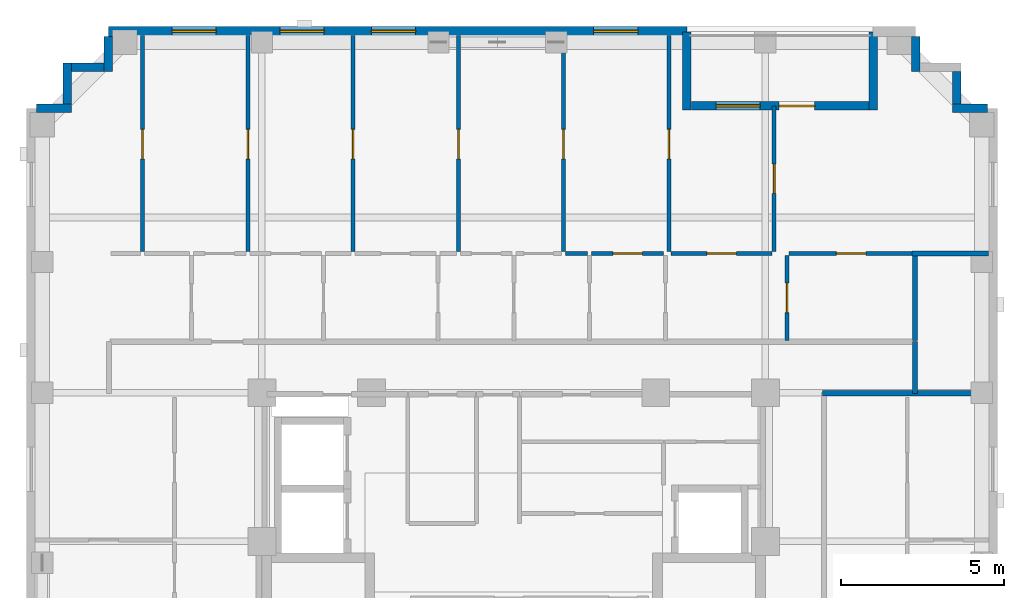
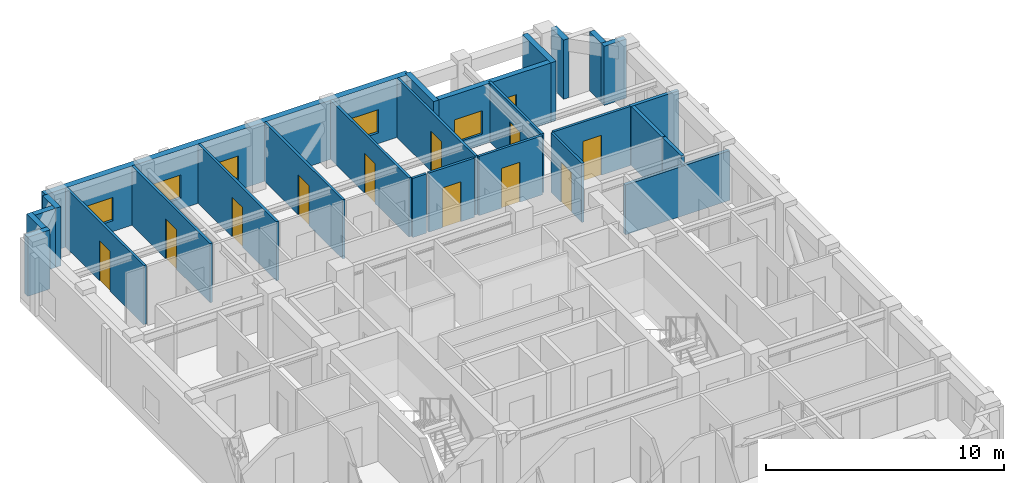
# One storey, part 7 of 11: 27 walls, 12 doors, 5 windows, 17 openings.
"""IFC4 building model written with IfcOpenShell, lengths in metres."""

from ifc_helpers import new_model, si_unit, derived_unit, direction, frame, frame_2d, origin, place, context, subcontext, project, spatial, rectangle, extrude, material, layer, layer_set, type_object, element, fill, save


model = new_model("IFC4")

# Units and contexts
model_context = context("Model", 3, precision=1e-05, world=origin(), true_north=direction((0.0, 1.0)))
body_context = subcontext(model_context, "Body", "Model", "MODEL_VIEW")
ifc_project = project(units=[si_unit("LENGTHUNIT", "METRE"), si_unit("AREAUNIT", "SQUARE_METRE"), si_unit("VOLUMEUNIT", "CUBIC_METRE"), si_unit("PLANEANGLEUNIT", "RADIAN"), si_unit("MASSUNIT", "GRAM", prefix="KILO"), derived_unit("THERMALTRANSMITTANCEUNIT", [(si_unit("MASSUNIT", "GRAM", prefix="KILO"), 1), (si_unit("TIMEUNIT", "SECOND"), -3), (si_unit("THERMODYNAMICTEMPERATUREUNIT", "KELVIN"), -1)])], contexts=[model_context])

# Site, building, storey
site_placement = place(None, origin())
site = spatial("IfcSite", under=ifc_project, at=site_placement, CompositionType="ELEMENT")
building_placement = place(site_placement, origin())
building = spatial("IfcBuilding", under=site, at=building_placement, Name="Korrvale Station Residences", CompositionType="ELEMENT")
storey_placement = place(building_placement, frame((0.0, 0.0, 197.5)))
storey = spatial("IfcBuildingStorey", under=building, at=storey_placement, Name="L57", CompositionType="ELEMENT", Elevation=197.5)

# Wall
ifc_material_1 = material(Name="Precast concrete C45/55", Category="concrete")
ifc_layer_1 = layer(ifc_material_1, 0.260009765625, Name="Precast concrete C45/55")
ifc_layer_set_1 = layer_set([ifc_layer_1], Name="Precast concrete C45/55")
wall_type_1 = type_object("IfcWallType", Name="WAL-EXT-LOG260", PredefinedType="SOLIDWALL", material=ifc_layer_set_1)
wall_1_placement = place(storey_placement, frame((30.800048828125, 40.0400390625, 0.0), z_axis=(0.0, 0.0, 1.0), x_axis=(0.0, -1.0, 0.0)))
element("IfcWall", 1, at=wall_1_placement, inside=storey, type_object=wall_type_1, Name="L57 Recessed Loggia Wall BAL-L57-N1-L", PredefinedType="SOLIDWALL", context=body_context, shape_type="SweptSolid", body=[
    extrude(rectangle(XDim=2.400146484375, YDim=0.260009765625, at=frame_2d((1.2001953125, 0.0))), origin(), (0.0, 0.0, 1.0), 3.0400390625),
])

# Wall, openings, door, window
wall_2_placement = place(storey_placement, frame((30.93408203125, 37.77001953125, 0.0), z_axis=(0.0, 0.0, 1.0), x_axis=(1.0, 0.0, 0.0)))
wall_2 = element("IfcWall", 2, at=wall_2_placement, inside=storey, type_object=wall_type_1, Name="L57 Recessed Loggia Wall BAL-L57-N1-B", PredefinedType="SOLIDWALL", context=body_context, shape_type="SweptSolid", body=[
    extrude(rectangle(XDim=5.431884765625, YDim=0.260009765625, at=frame_2d((2.7158203125, 0.0))), origin(), (0.0, 0.0, 1.0), 3.0400390625),
])
opening_1_placement = place(wall_2_placement, frame((2.676025390625, 0.0, 0.0)))
opening_1 = element("IfcOpeningElement", 3, at=opening_1_placement, cuts=wall_2, Name="Opening BD-01", PredefinedType="OPENING", context=body_context, shape_type="SweptSolid", body=[
    extrude(rectangle(XDim=1.10009765625, YDim=2.0, at=frame_2d((0.550048828125, 1.0))), frame((0.0, 0.14013671875, 0.0), z_axis=(0.0, -1.0, 0.0), x_axis=(1.0, 0.0, 0.0)), (0.0, 0.0, 1.0), 0.280029296875),
])
opening_2_placement = place(wall_2_placement, frame((0.758056640625, 0.0, 0.550048828125)))
opening_2 = element("IfcOpeningElement", 4, at=opening_2_placement, cuts=wall_2, Name="Opening W-10", PredefinedType="OPENING", context=body_context, shape_type="SweptSolid", body=[
    extrude(rectangle(XDim=1.35009765625, YDim=1.199951171875, at=frame_2d((0.675048828125, 0.60009765625))), frame((0.0, 0.14013671875, 0.0), z_axis=(0.0, -1.0, 0.0), x_axis=(1.0, 0.0, 0.0)), (0.0, 0.0, 1.0), 0.280029296875),
])
ifc_material_2 = material(Name="Exterior thermally broken aluminium glazed balcony door", Category="aluminium")
door_type_1 = type_object("IfcDoorType", Name="DR-EXT-BAL", OperationType="NOTDEFINED", PredefinedType="DOOR", material=ifc_material_2)
door_1_placement = place(opening_1_placement, origin())
door_1 = element("IfcDoor", 5, at=door_1_placement, inside=storey, type_object=door_type_1, Name="L57 Loggia Balcony Door BAL-L57-N1", OperationType="SINGLE_SWING_LEFT", OverallHeight=2.0, OverallWidth=1.10009765625, PredefinedType="DOOR", context=body_context, shape_type="SweptSolid", body=[
    extrude(rectangle(XDim=1.10009765625, YDim=2.0, at=frame_2d((0.550048828125, 1.0))), frame((0.0, 0.02490234375, 0.0), z_axis=(0.0, -1.0, 0.0), x_axis=(1.0, 0.0, 0.0)), (0.0, 0.0, 1.0), 0.050048828125),
])
fill(opening_1, door_1)
ifc_material_3 = material(Name="Thermally broken aluminium frame with triple low-e glazing", Category="aluminium")
window_type = type_object("IfcWindowType", Name="WIN-W10", PartitioningType="SINGLE_PANEL", PredefinedType="WINDOW", material=ifc_material_3)
window_1_placement = place(opening_2_placement, origin())
window_1 = element("IfcWindow", 6, at=window_1_placement, inside=storey, type_object=window_type, Name="L57 Punched Window 11", OverallHeight=1.199951171875, OverallWidth=1.35009765625, PartitioningType="SINGLE_PANEL", PredefinedType="WINDOW", context=body_context, shape_type="SweptSolid", body=[
    extrude(rectangle(XDim=1.35009765625, YDim=1.199951171875, at=frame_2d((0.675048828125, 0.60009765625))), frame((0.0, 0.030029296875, 0.0), z_axis=(0.0, -1.0, 0.0), x_axis=(1.0, 0.0, 0.0)), (0.0, 0.0, 1.0), 0.06005859375),
])
fill(opening_2, window_1)

# Walls
wall_3_placement = place(storey_placement, frame((36.5, 37.639892578125, 0.0), z_axis=(0.0, 0.0, 1.0), x_axis=(0.0, 1.0, 0.0)))
element("IfcWall", 7, at=wall_3_placement, inside=storey, type_object=wall_type_1, Name="L57 Recessed Loggia Wall BAL-L57-N1-R", PredefinedType="SOLIDWALL", context=body_context, shape_type="SweptSolid", body=[
    extrude(rectangle(XDim=2.400146484375, YDim=0.260009765625, at=frame_2d((1.2001953125, 0.0))), origin(), (0.0, 0.0, 1.0), 3.0400390625),
])
wall_4_placement = place(storey_placement, frame((10.902099609375, 37.699951171875, 0.0), z_axis=(0.0, 0.0, 1.0), x_axis=(1.0, 0.0, 0.0)))
element("IfcWall", 8, at=wall_4_placement, inside=storey, type_object=wall_type_1, Name="L57 Serrated Corner Precast Step NW-1", PredefinedType="SOLIDWALL", context=body_context, shape_type="SweptSolid", body=[
    extrude(rectangle(XDim=1.077880859375, YDim=0.260009765625, at=frame_2d((0.5390625, 0.0))), origin(), (0.0, 0.0, 1.0), 3.0400390625),
])
wall_5_placement = place(storey_placement, frame((11.85009765625, 37.83203125, 0.0), z_axis=(0.0, 0.0, 1.0), x_axis=(0.0, 1.0, 0.0)))
element("IfcWall", 9, at=wall_5_placement, inside=storey, type_object=wall_type_1, Name="L57 Serrated Corner Precast Step NW-2", PredefinedType="SOLIDWALL", context=body_context, shape_type="SweptSolid", body=[
    extrude(rectangle(XDim=1.248046875, YDim=0.260009765625, at=frame_2d((0.6240234375, 0.0))), origin(), (0.0, 0.0, 1.0), 3.0400390625),
])
wall_6_placement = place(storey_placement, frame((11.98193359375, 38.949951171875, 0.0), z_axis=(0.0, 0.0, 1.0), x_axis=(1.0, 0.0, 0.0)))
element("IfcWall", 10, at=wall_6_placement, inside=storey, type_object=wall_type_1, Name="L57 Serrated Corner Precast Step NW-3", PredefinedType="SOLIDWALL", context=body_context, shape_type="SweptSolid", body=[
    extrude(rectangle(XDim=0.986083984375, YDim=0.260009765625, at=frame_2d((0.4931640625, 0.0))), origin(), (0.0, 0.0, 1.0), 3.0400390625),
])
for number, where, z_axis, x_axis, name in (
    (11, (13.10009765625, 38.820068359375, 0.0), (0.0, 0.0, 1.0), (0.0, 1.0, 0.0), "L57 Serrated Corner Precast Step NW-4"),
    (12, (37.800048828125, 39.89794921875, 0.0), (0.0, 0.0, 1.0), (0.0, -1.0, 0.0), "L57 Serrated Corner Precast Step NE-1"),
):
    element("IfcWall", number, at=place(storey_placement, frame(where, z_axis=z_axis, x_axis=x_axis)), inside=storey, type_object=wall_type_1, Name=name, PredefinedType="SOLIDWALL", context=body_context, shape_type="SweptSolid", body=[
        extrude(rectangle(XDim=1.077880859375, YDim=0.260009765625, at=frame_2d((0.5390625, 0.0))), origin(), (0.0, 0.0, 1.0), 3.0400390625),
    ])
wall_7_placement = place(storey_placement, frame((39.050048828125, 38.818115234375, 0.0), z_axis=(0.0, 0.0, 1.0), x_axis=(0.0, -1.0, 0.0)))
element("IfcWall", 13, at=wall_7_placement, inside=storey, type_object=wall_type_1, Name="L57 Serrated Corner Precast Step NE-3", PredefinedType="SOLIDWALL", context=body_context, shape_type="SweptSolid", body=[
    extrude(rectangle(XDim=0.986083984375, YDim=0.260009765625, at=frame_2d((0.4931640625, 0.0))), origin(), (0.0, 0.0, 1.0), 3.0400390625),
])
wall_8_placement = place(storey_placement, frame((38.919921875, 37.699951171875, 0.0), z_axis=(0.0, 0.0, 1.0), x_axis=(1.0, 0.0, 0.0)))
element("IfcWall", 14, at=wall_8_placement, inside=storey, type_object=wall_type_1, Name="L57 Serrated Corner Precast Step NE-4", PredefinedType="SOLIDWALL", context=body_context, shape_type="SweptSolid", body=[
    extrude(rectangle(XDim=1.078125, YDim=0.260009765625, at=frame_2d((0.5390625, 0.0))), origin(), (0.0, 0.0, 1.0), 3.0400390625),
])

# Wall, openings, windows
ifc_layer_2 = layer(ifc_material_1, 0.300048828125, Name="Precast concrete C45/55")
ifc_layer_set_2 = layer_set([ifc_layer_2], Name="Precast concrete C45/55")
wall_type_2 = type_object("IfcWallType", Name="WAL-EXT-PC300", PredefinedType="SOLIDWALL", material=ifc_layer_set_2)
wall_9_placement = place(storey_placement, frame((13.10009765625, 40.050048828125, 0.0), z_axis=(0.0, 0.0, 1.0), x_axis=(1.0, 0.0, 0.0)))
wall_9 = element("IfcWall", 15, at=wall_9_placement, inside=storey, type_object=wall_type_2, Name="L57 North Exterior Precast Wall 1", PredefinedType="SOLIDWALL", context=body_context, shape_type="SweptSolid", body=[
    extrude(rectangle(XDim=17.699951171875, YDim=0.300048828125, at=frame_2d((8.85009765625, 0.0))), origin(), (0.0, 0.0, 1.0), 3.0400390625),
])
opening_3_placement = place(wall_9_placement, frame((1.949951171875, 0.0, 0.550048828125)))
opening_3 = element("IfcOpeningElement", 16, at=opening_3_placement, cuts=wall_9, Name="Opening W-10", PredefinedType="OPENING", context=body_context, shape_type="SweptSolid", body=[
    extrude(rectangle(XDim=1.35009765625, YDim=1.199951171875, at=frame_2d((0.675048828125, 0.60009765625))), frame((0.0, 0.16015625, 0.0), z_axis=(0.0, -1.0, 0.0), x_axis=(1.0, 0.0, 0.0)), (0.0, 0.0, 1.0), 0.320068359375),
])
opening_4_placement = place(wall_9_placement, frame((5.25, 0.0, 0.550048828125)))
opening_4 = element("IfcOpeningElement", 17, at=opening_4_placement, cuts=wall_9, Name="Opening W-10", PredefinedType="OPENING", context=body_context, shape_type="SweptSolid", body=[
    extrude(rectangle(XDim=1.35009765625, YDim=1.199951171875, at=frame_2d((0.675048828125, 0.60009765625))), frame((0.0, 0.16015625, 0.0), z_axis=(0.0, -1.0, 0.0), x_axis=(1.0, 0.0, 0.0)), (0.0, 0.0, 1.0), 0.320068359375),
])
opening_5_placement = place(wall_9_placement, frame((8.050048828125, 0.0, 0.550048828125)))
opening_5 = element("IfcOpeningElement", 18, at=opening_5_placement, cuts=wall_9, Name="Opening W-10", PredefinedType="OPENING", context=body_context, shape_type="SweptSolid", body=[
    extrude(rectangle(XDim=1.35009765625, YDim=1.199951171875, at=frame_2d((0.675048828125, 0.60009765625))), frame((0.0, 0.16015625, 0.0), z_axis=(0.0, -1.0, 0.0), x_axis=(1.0, 0.0, 0.0)), (0.0, 0.0, 1.0), 0.320068359375),
])
opening_6_placement = place(wall_9_placement, frame((14.85009765625, 0.0, 0.550048828125)))
opening_6 = element("IfcOpeningElement", 19, at=opening_6_placement, cuts=wall_9, Name="Opening W-10", PredefinedType="OPENING", context=body_context, shape_type="SweptSolid", body=[
    extrude(rectangle(XDim=1.35009765625, YDim=1.199951171875, at=frame_2d((0.675048828125, 0.60009765625))), frame((0.0, 0.16015625, 0.0), z_axis=(0.0, -1.0, 0.0), x_axis=(1.0, 0.0, 0.0)), (0.0, 0.0, 1.0), 0.320068359375),
])
window_2_placement = place(opening_3_placement, origin())
window_2 = element("IfcWindow", 20, at=window_2_placement, inside=storey, type_object=window_type, Name="L57 Punched Window 07", OverallHeight=1.199951171875, OverallWidth=1.35009765625, PartitioningType="SINGLE_PANEL", PredefinedType="WINDOW", context=body_context, shape_type="SweptSolid", body=[
    extrude(rectangle(XDim=1.35009765625, YDim=1.199951171875, at=frame_2d((0.675048828125, 0.60009765625))), frame((0.0, 0.030029296875, 0.0), z_axis=(0.0, -1.0, 0.0), x_axis=(1.0, 0.0, 0.0)), (0.0, 0.0, 1.0), 0.06005859375),
])
fill(opening_3, window_2)
window_3_placement = place(opening_4_placement, origin())
window_3 = element("IfcWindow", 21, at=window_3_placement, inside=storey, type_object=window_type, Name="L57 Punched Window 08", OverallHeight=1.199951171875, OverallWidth=1.35009765625, PartitioningType="SINGLE_PANEL", PredefinedType="WINDOW", context=body_context, shape_type="SweptSolid", body=[
    extrude(rectangle(XDim=1.35009765625, YDim=1.199951171875, at=frame_2d((0.675048828125, 0.60009765625))), frame((0.0, 0.030029296875, 0.0), z_axis=(0.0, -1.0, 0.0), x_axis=(1.0, 0.0, 0.0)), (0.0, 0.0, 1.0), 0.06005859375),
])
fill(opening_4, window_3)
window_4_placement = place(opening_5_placement, origin())
window_4 = element("IfcWindow", 22, at=window_4_placement, inside=storey, type_object=window_type, Name="L57 Punched Window 09", OverallHeight=1.199951171875, OverallWidth=1.35009765625, PartitioningType="SINGLE_PANEL", PredefinedType="WINDOW", context=body_context, shape_type="SweptSolid", body=[
    extrude(rectangle(XDim=1.35009765625, YDim=1.199951171875, at=frame_2d((0.675048828125, 0.60009765625))), frame((0.0, 0.030029296875, 0.0), z_axis=(0.0, -1.0, 0.0), x_axis=(1.0, 0.0, 0.0)), (0.0, 0.0, 1.0), 0.06005859375),
])
fill(opening_5, window_4)
window_5_placement = place(opening_6_placement, origin())
window_5 = element("IfcWindow", 23, at=window_5_placement, inside=storey, type_object=window_type, Name="L57 Punched Window 10", OverallHeight=1.199951171875, OverallWidth=1.35009765625, PartitioningType="SINGLE_PANEL", PredefinedType="WINDOW", context=body_context, shape_type="SweptSolid", body=[
    extrude(rectangle(XDim=1.35009765625, YDim=1.199951171875, at=frame_2d((0.675048828125, 0.60009765625))), frame((0.0, 0.030029296875, 0.0), z_axis=(0.0, -1.0, 0.0), x_axis=(1.0, 0.0, 0.0)), (0.0, 0.0, 1.0), 0.06005859375),
])
fill(opening_6, window_5)

# Wall
ifc_material_4 = material(Name="Acoustic steel-stud gypsum board partition", Category="steel")
ifc_layer_3 = layer(ifc_material_4, 0.1201171875, Name="Acoustic steel-stud gypsum board partition")
ifc_layer_set_3 = layer_set([ifc_layer_3], Name="Acoustic steel-stud gypsum board partition")
wall_type_3 = type_object("IfcWallType", Name="WAL-PART-125", PredefinedType="PARTITIONING", material=ifc_layer_set_3)
wall_10_placement = place(storey_placement, frame((27.090087890625, 33.260009765625, 0.0), z_axis=(0.0, 0.0, 1.0), x_axis=(1.0, 0.0, 0.0)))
element("IfcWall", 24, at=wall_10_placement, inside=storey, type_object=wall_type_3, Name="L57 Suite Partition U03-H413", PredefinedType="PARTITIONING", context=body_context, shape_type="SweptSolid", body=[
    extrude(rectangle(XDim=0.6748046875, YDim=0.1201171875, at=frame_2d((0.33740234375, 0.0))), origin(), (0.0, 0.0, 1.0), 3.0400390625),
])

# Wall, opening, door
wall_11_placement = place(storey_placement, frame((27.885009765625, 33.260009765625, 0.0), z_axis=(0.0, 0.0, 1.0), x_axis=(1.0, 0.0, 0.0)))
wall_11 = element("IfcWall", 25, at=wall_11_placement, inside=storey, type_object=wall_type_3, Name="L57 Suite Partition U03-H513", PredefinedType="PARTITIONING", context=body_context, shape_type="SweptSolid", body=[
    extrude(rectangle(XDim=2.199951171875, YDim=0.1201171875, at=frame_2d((1.10009765625, 0.0))), origin(), (0.0, 0.0, 1.0), 3.0400390625),
])
opening_7_placement = place(wall_11_placement, frame((0.64990234375, 0.0, 0.0)))
opening_7 = element("IfcOpeningElement", 26, at=opening_7_placement, cuts=wall_11, Name="Opening DI-900", PredefinedType="OPENING", context=body_context, shape_type="SweptSolid", body=[
    extrude(rectangle(XDim=0.89990234375, YDim=2.050048828125, at=frame_2d((0.449951171875, 1.02490234375))), frame((0.0, 0.070068359375, 0.0), z_axis=(0.0, -1.0, 0.0), x_axis=(1.0, 0.0, 0.0)), (0.0, 0.0, 1.0), 0.14013671875),
])
ifc_material_5 = material(Name="Painted solid-core timber interior room door", Category="wood")
door_type_2 = type_object("IfcDoorType", Name="DR-INT-900", OperationType="NOTDEFINED", PredefinedType="DOOR", material=ifc_material_5)
door_2_placement = place(opening_7_placement, origin())
door_2 = element("IfcDoor", 27, at=door_2_placement, inside=storey, type_object=door_type_2, Name="L57 Studio Apartment L57-U03 Wardrobe Storage Room Door", OperationType="SINGLE_SWING_LEFT", OverallHeight=2.050048828125, OverallWidth=0.89990234375, PredefinedType="DOOR", context=body_context, shape_type="SweptSolid", body=[
    extrude(rectangle(XDim=0.89990234375, YDim=2.050048828125, at=frame_2d((0.449951171875, 1.02490234375))), frame((0.0, 0.02490234375, 0.0), z_axis=(0.0, -1.0, 0.0), x_axis=(1.0, 0.0, 0.0)), (0.0, 0.0, 1.0), 0.050048828125),
])
fill(opening_7, door_2)

wall_12_placement = place(storey_placement, frame((33.864990234375, 30.60009765625, 0.0), z_axis=(0.0, 0.0, 1.0), x_axis=(0.0, 1.0, 0.0)))
wall_12 = element("IfcWall", 28, at=wall_12_placement, inside=storey, type_object=wall_type_3, Name="L57 Suite Partition U03-V67", PredefinedType="PARTITIONING", context=body_context, shape_type="SweptSolid", body=[
    extrude(rectangle(XDim=2.599853515625, YDim=0.1201171875, at=frame_2d((1.2998046875, 0.0))), origin(), (0.0, 0.0, 1.0), 3.0400390625),
])
opening_8_placement = place(wall_12_placement, frame((0.85009765625, 0.0, 0.0)))
opening_8 = element("IfcOpeningElement", 29, at=opening_8_placement, cuts=wall_12, Name="Opening DI-900", PredefinedType="OPENING", context=body_context, shape_type="SweptSolid", body=[
    extrude(rectangle(XDim=0.89990234375, YDim=2.050048828125, at=frame_2d((0.449951171875, 1.02490234375))), frame((0.0, 0.070068359375, 0.0), z_axis=(0.0, -1.0, 0.0), x_axis=(1.0, 0.0, 0.0)), (0.0, 0.0, 1.0), 0.14013671875),
])
door_3_placement = place(opening_8_placement, origin())
door_3 = element("IfcDoor", 30, at=door_3_placement, inside=storey, type_object=door_type_2, Name="L57 Studio Apartment L57-U03 Utility and Laundry Room Door", OperationType="SINGLE_SWING_RIGHT", OverallHeight=2.050048828125, OverallWidth=0.89990234375, PredefinedType="DOOR", context=body_context, shape_type="SweptSolid", body=[
    extrude(rectangle(XDim=0.89990234375, YDim=2.050048828125, at=frame_2d((0.449951171875, 1.02490234375))), frame((0.0, 0.02490234375, 0.0), z_axis=(0.0, -1.0, 0.0), x_axis=(1.0, 0.0, 0.0)), (0.0, 0.0, 1.0), 0.050048828125),
])
fill(opening_8, door_3)

wall_13_placement = place(storey_placement, frame((30.31005859375, 33.260009765625, 0.0), z_axis=(0.0, 0.0, 1.0), x_axis=(1.0, 0.0, 0.0)))
wall_13 = element("IfcWall", 31, at=wall_13_placement, inside=storey, type_object=wall_type_3, Name="L57 Suite Partition U03-H614", PredefinedType="PARTITIONING", context=body_context, shape_type="SweptSolid", body=[
    extrude(rectangle(XDim=3.099853515625, YDim=0.1201171875, at=frame_2d((1.5498046875, 0.0))), origin(), (0.0, 0.0, 1.0), 3.0400390625),
])
opening_9_placement = place(wall_13_placement, frame((1.10009765625, 0.0, 0.0)))
opening_9 = element("IfcOpeningElement", 32, at=opening_9_placement, cuts=wall_13, Name="Opening DI-900", PredefinedType="OPENING", context=body_context, shape_type="SweptSolid", body=[
    extrude(rectangle(XDim=0.89990234375, YDim=2.050048828125, at=frame_2d((0.449951171875, 1.02490234375))), frame((0.0, 0.070068359375, 0.0), z_axis=(0.0, -1.0, 0.0), x_axis=(1.0, 0.0, 0.0)), (0.0, 0.0, 1.0), 0.14013671875),
])
door_4_placement = place(opening_9_placement, origin())
door_4 = element("IfcDoor", 33, at=door_4_placement, inside=storey, type_object=door_type_2, Name="L57 Studio Apartment L57-U03 Utility and Laundry Room Door", OperationType="SINGLE_SWING_LEFT", OverallHeight=2.050048828125, OverallWidth=0.89990234375, PredefinedType="DOOR", context=body_context, shape_type="SweptSolid", body=[
    extrude(rectangle(XDim=0.89990234375, YDim=2.050048828125, at=frame_2d((0.449951171875, 1.02490234375))), frame((0.0, 0.02490234375, 0.0), z_axis=(0.0, -1.0, 0.0), x_axis=(1.0, 0.0, 0.0)), (0.0, 0.0, 1.0), 0.050048828125),
])
fill(opening_9, door_4)

wall_14_placement = place(storey_placement, frame((33.925048828125, 33.260009765625, 0.0), z_axis=(0.0, 0.0, 1.0), x_axis=(1.0, 0.0, 0.0)))
wall_14 = element("IfcWall", 34, at=wall_14_placement, inside=storey, type_object=wall_type_3, Name="L57 Suite Partition U03-H715", PredefinedType="PARTITIONING", context=body_context, shape_type="SweptSolid", body=[
    extrude(rectangle(XDim=3.794921875, YDim=0.1201171875, at=frame_2d((1.8974609375, 0.0))), origin(), (0.0, 0.0, 1.0), 3.0400390625),
])
opening_10_placement = place(wall_14_placement, frame((1.447998046875, 0.0, 0.0)))
opening_10 = element("IfcOpeningElement", 35, at=opening_10_placement, cuts=wall_14, Name="Opening DI-900", PredefinedType="OPENING", context=body_context, shape_type="SweptSolid", body=[
    extrude(rectangle(XDim=0.89990234375, YDim=2.050048828125, at=frame_2d((0.449951171875, 1.02490234375))), frame((0.0, 0.070068359375, 0.0), z_axis=(0.0, -1.0, 0.0), x_axis=(1.0, 0.0, 0.0)), (0.0, 0.0, 1.0), 0.14013671875),
])
door_5_placement = place(opening_10_placement, origin())
door_5 = element("IfcDoor", 36, at=door_5_placement, inside=storey, type_object=door_type_2, Name="L57 Studio Apartment L57-U03 Storage Closet 2 Door", OperationType="SINGLE_SWING_RIGHT", OverallHeight=2.050048828125, OverallWidth=0.89990234375, PredefinedType="DOOR", context=body_context, shape_type="SweptSolid", body=[
    extrude(rectangle(XDim=0.89990234375, YDim=2.050048828125, at=frame_2d((0.449951171875, 1.02490234375))), frame((0.0, 0.02490234375, 0.0), z_axis=(0.0, -1.0, 0.0), x_axis=(1.0, 0.0, 0.0)), (0.0, 0.0, 1.0), 0.050048828125),
])
fill(opening_10, door_5)

wall_15_placement = place(storey_placement, frame((14.14990234375, 33.320068359375, 0.0), z_axis=(0.0, 0.0, 1.0), x_axis=(0.0, 1.0, 0.0)))
wall_15 = element("IfcWall", 37, at=wall_15_placement, inside=storey, type_object=wall_type_3, Name="L57 Suite Partition U03-V89", PredefinedType="PARTITIONING", context=body_context, shape_type="SweptSolid", body=[
    extrude(rectangle(XDim=6.599853515625, YDim=0.1201171875, at=frame_2d((3.2998046875, 0.0))), origin(), (0.0, 0.0, 1.0), 3.0400390625),
])
opening_11_placement = place(wall_15_placement, frame((2.8349609375, 0.0, 0.0)))
opening_11 = element("IfcOpeningElement", 38, at=opening_11_placement, cuts=wall_15, Name="Opening DI-900", PredefinedType="OPENING", context=body_context, shape_type="SweptSolid", body=[
    extrude(rectangle(XDim=0.89990234375, YDim=2.050048828125, at=frame_2d((0.449951171875, 1.02490234375))), frame((0.0, 0.070068359375, 0.0), z_axis=(0.0, -1.0, 0.0), x_axis=(1.0, 0.0, 0.0)), (0.0, 0.0, 1.0), 0.14013671875),
])
door_6_placement = place(opening_11_placement, origin())
door_6 = element("IfcDoor", 39, at=door_6_placement, inside=storey, type_object=door_type_2, Name="L57 Studio Apartment L57-U03 Walk-In Wardrobe Door", OperationType="SINGLE_SWING_LEFT", OverallHeight=2.050048828125, OverallWidth=0.89990234375, PredefinedType="DOOR", context=body_context, shape_type="SweptSolid", body=[
    extrude(rectangle(XDim=0.89990234375, YDim=2.050048828125, at=frame_2d((0.449951171875, 1.02490234375))), frame((0.0, 0.02490234375, 0.0), z_axis=(0.0, -1.0, 0.0), x_axis=(1.0, 0.0, 0.0)), (0.0, 0.0, 1.0), 0.050048828125),
])
fill(opening_11, door_6)

wall_16_placement = place(storey_placement, frame((17.3701171875, 33.320068359375, 0.0), z_axis=(0.0, 0.0, 1.0), x_axis=(0.0, 1.0, 0.0)))
wall_16 = element("IfcWall", 40, at=wall_16_placement, inside=storey, type_object=wall_type_3, Name="L57 Suite Partition U03-V910", PredefinedType="PARTITIONING", context=body_context, shape_type="SweptSolid", body=[
    extrude(rectangle(XDim=6.599853515625, YDim=0.1201171875, at=frame_2d((3.2998046875, 0.0))), origin(), (0.0, 0.0, 1.0), 3.0400390625),
])
opening_12_placement = place(wall_16_placement, frame((2.8349609375, 0.0, 0.0)))
opening_12 = element("IfcOpeningElement", 41, at=opening_12_placement, cuts=wall_16, Name="Opening DI-900", PredefinedType="OPENING", context=body_context, shape_type="SweptSolid", body=[
    extrude(rectangle(XDim=0.89990234375, YDim=2.050048828125, at=frame_2d((0.449951171875, 1.02490234375))), frame((0.0, 0.070068359375, 0.0), z_axis=(0.0, -1.0, 0.0), x_axis=(1.0, 0.0, 0.0)), (0.0, 0.0, 1.0), 0.14013671875),
])
door_7_placement = place(opening_12_placement, origin())
door_7 = element("IfcDoor", 42, at=door_7_placement, inside=storey, type_object=door_type_2, Name="L57 Studio Apartment L57-U03 Formal Dining Room Door", OperationType="SINGLE_SWING_RIGHT", OverallHeight=2.050048828125, OverallWidth=0.89990234375, PredefinedType="DOOR", context=body_context, shape_type="SweptSolid", body=[
    extrude(rectangle(XDim=0.89990234375, YDim=2.050048828125, at=frame_2d((0.449951171875, 1.02490234375))), frame((0.0, 0.02490234375, 0.0), z_axis=(0.0, -1.0, 0.0), x_axis=(1.0, 0.0, 0.0)), (0.0, 0.0, 1.0), 0.050048828125),
])
fill(opening_12, door_7)

wall_17_placement = place(storey_placement, frame((20.590087890625, 33.320068359375, 0.0), z_axis=(0.0, 0.0, 1.0), x_axis=(0.0, 1.0, 0.0)))
wall_17 = element("IfcWall", 43, at=wall_17_placement, inside=storey, type_object=wall_type_3, Name="L57 Suite Partition U03-V1011", PredefinedType="PARTITIONING", context=body_context, shape_type="SweptSolid", body=[
    extrude(rectangle(XDim=6.599853515625, YDim=0.1201171875, at=frame_2d((3.2998046875, 0.0))), origin(), (0.0, 0.0, 1.0), 3.0400390625),
])
opening_13_placement = place(wall_17_placement, frame((2.8349609375, 0.0, 0.0)))
opening_13 = element("IfcOpeningElement", 44, at=opening_13_placement, cuts=wall_17, Name="Opening DI-900", PredefinedType="OPENING", context=body_context, shape_type="SweptSolid", body=[
    extrude(rectangle(XDim=0.89990234375, YDim=2.050048828125, at=frame_2d((0.449951171875, 1.02490234375))), frame((0.0, 0.070068359375, 0.0), z_axis=(0.0, -1.0, 0.0), x_axis=(1.0, 0.0, 0.0)), (0.0, 0.0, 1.0), 0.14013671875),
])
door_8_placement = place(opening_13_placement, origin())
door_8 = element("IfcDoor", 45, at=door_8_placement, inside=storey, type_object=door_type_2, Name="L57 Studio Apartment L57-U03 Formal Dining Room Door", OperationType="SINGLE_SWING_LEFT", OverallHeight=2.050048828125, OverallWidth=0.89990234375, PredefinedType="DOOR", context=body_context, shape_type="SweptSolid", body=[
    extrude(rectangle(XDim=0.89990234375, YDim=2.050048828125, at=frame_2d((0.449951171875, 1.02490234375))), frame((0.0, 0.02490234375, 0.0), z_axis=(0.0, -1.0, 0.0), x_axis=(1.0, 0.0, 0.0)), (0.0, 0.0, 1.0), 0.050048828125),
])
fill(opening_13, door_8)

wall_18_placement = place(storey_placement, frame((23.81005859375, 33.320068359375, 0.0), z_axis=(0.0, 0.0, 1.0), x_axis=(0.0, 1.0, 0.0)))
wall_18 = element("IfcWall", 46, at=wall_18_placement, inside=storey, type_object=wall_type_3, Name="L57 Suite Partition U03-V1112", PredefinedType="PARTITIONING", context=body_context, shape_type="SweptSolid", body=[
    extrude(rectangle(XDim=6.599853515625, YDim=0.1201171875, at=frame_2d((3.2998046875, 0.0))), origin(), (0.0, 0.0, 1.0), 3.0400390625),
])
opening_14_placement = place(wall_18_placement, frame((2.8349609375, 0.0, 0.0)))
opening_14 = element("IfcOpeningElement", 47, at=opening_14_placement, cuts=wall_18, Name="Opening DI-900", PredefinedType="OPENING", context=body_context, shape_type="SweptSolid", body=[
    extrude(rectangle(XDim=0.89990234375, YDim=2.050048828125, at=frame_2d((0.449951171875, 1.02490234375))), frame((0.0, 0.070068359375, 0.0), z_axis=(0.0, -1.0, 0.0), x_axis=(1.0, 0.0, 0.0)), (0.0, 0.0, 1.0), 0.14013671875),
])
door_9_placement = place(opening_14_placement, origin())
door_9 = element("IfcDoor", 48, at=door_9_placement, inside=storey, type_object=door_type_2, Name="L57 Studio Apartment L57-U03 Formal Dining Room Door", OperationType="SINGLE_SWING_RIGHT", OverallHeight=2.050048828125, OverallWidth=0.89990234375, PredefinedType="DOOR", context=body_context, shape_type="SweptSolid", body=[
    extrude(rectangle(XDim=0.89990234375, YDim=2.050048828125, at=frame_2d((0.449951171875, 1.02490234375))), frame((0.0, 0.02490234375, 0.0), z_axis=(0.0, -1.0, 0.0), x_axis=(1.0, 0.0, 0.0)), (0.0, 0.0, 1.0), 0.050048828125),
])
fill(opening_14, door_9)

wall_19_placement = place(storey_placement, frame((27.030029296875, 33.320068359375, 0.0), z_axis=(0.0, 0.0, 1.0), x_axis=(0.0, 1.0, 0.0)))
wall_19 = element("IfcWall", 49, at=wall_19_placement, inside=storey, type_object=wall_type_3, Name="L57 Suite Partition U03-V1213", PredefinedType="PARTITIONING", context=body_context, shape_type="SweptSolid", body=[
    extrude(rectangle(XDim=6.599853515625, YDim=0.1201171875, at=frame_2d((3.2998046875, 0.0))), origin(), (0.0, 0.0, 1.0), 3.0400390625),
])
opening_15_placement = place(wall_19_placement, frame((2.8349609375, 0.0, 0.0)))
opening_15 = element("IfcOpeningElement", 50, at=opening_15_placement, cuts=wall_19, Name="Opening DI-900", PredefinedType="OPENING", context=body_context, shape_type="SweptSolid", body=[
    extrude(rectangle(XDim=0.89990234375, YDim=2.050048828125, at=frame_2d((0.449951171875, 1.02490234375))), frame((0.0, 0.070068359375, 0.0), z_axis=(0.0, -1.0, 0.0), x_axis=(1.0, 0.0, 0.0)), (0.0, 0.0, 1.0), 0.14013671875),
])
door_10_placement = place(opening_15_placement, origin())
door_10 = element("IfcDoor", 51, at=door_10_placement, inside=storey, type_object=door_type_2, Name="L57 Studio Apartment L57-U03 Walk-In Wardrobe Door", OperationType="SINGLE_SWING_LEFT", OverallHeight=2.050048828125, OverallWidth=0.89990234375, PredefinedType="DOOR", context=body_context, shape_type="SweptSolid", body=[
    extrude(rectangle(XDim=0.89990234375, YDim=2.050048828125, at=frame_2d((0.449951171875, 1.02490234375))), frame((0.0, 0.02490234375, 0.0), z_axis=(0.0, -1.0, 0.0), x_axis=(1.0, 0.0, 0.0)), (0.0, 0.0, 1.0), 0.050048828125),
])
fill(opening_15, door_10)

wall_20_placement = place(storey_placement, frame((30.25, 33.320068359375, 0.0), z_axis=(0.0, 0.0, 1.0), x_axis=(0.0, 1.0, 0.0)))
wall_20 = element("IfcWall", 52, at=wall_20_placement, inside=storey, type_object=wall_type_3, Name="L57 Suite Partition U03-V1314", PredefinedType="PARTITIONING", context=body_context, shape_type="SweptSolid", body=[
    extrude(rectangle(XDim=6.599853515625, YDim=0.1201171875, at=frame_2d((3.2998046875, 0.0))), origin(), (0.0, 0.0, 1.0), 3.0400390625),
])
opening_16_placement = place(wall_20_placement, frame((2.8349609375, 0.0, 0.0)))
opening_16 = element("IfcOpeningElement", 53, at=opening_16_placement, cuts=wall_20, Name="Opening DI-900", PredefinedType="OPENING", context=body_context, shape_type="SweptSolid", body=[
    extrude(rectangle(XDim=0.89990234375, YDim=2.050048828125, at=frame_2d((0.449951171875, 1.02490234375))), frame((0.0, 0.070068359375, 0.0), z_axis=(0.0, -1.0, 0.0), x_axis=(1.0, 0.0, 0.0)), (0.0, 0.0, 1.0), 0.14013671875),
])
door_11_placement = place(opening_16_placement, origin())
door_11 = element("IfcDoor", 54, at=door_11_placement, inside=storey, type_object=door_type_2, Name="L57 Studio Apartment L57-U03 Formal Dining Room Door", OperationType="SINGLE_SWING_RIGHT", OverallHeight=2.050048828125, OverallWidth=0.89990234375, PredefinedType="DOOR", context=body_context, shape_type="SweptSolid", body=[
    extrude(rectangle(XDim=0.89990234375, YDim=2.050048828125, at=frame_2d((0.449951171875, 1.02490234375))), frame((0.0, 0.02490234375, 0.0), z_axis=(0.0, -1.0, 0.0), x_axis=(1.0, 0.0, 0.0)), (0.0, 0.0, 1.0), 0.050048828125),
])
fill(opening_16, door_11)

wall_21_placement = place(storey_placement, frame((33.469970703125, 33.320068359375, 0.0), z_axis=(0.0, 0.0, 1.0), x_axis=(0.0, 1.0, 0.0)))
wall_21 = element("IfcWall", 55, at=wall_21_placement, inside=storey, type_object=wall_type_3, Name="L57 Suite Partition U03-V1415", PredefinedType="PARTITIONING", context=body_context, shape_type="SweptSolid", body=[
    extrude(rectangle(XDim=4.449951171875, YDim=0.1201171875, at=frame_2d((2.22509765625, 0.0))), origin(), (0.0, 0.0, 1.0), 3.0400390625),
])
opening_17_placement = place(wall_21_placement, frame((1.77490234375, 0.0, 0.0)))
opening_17 = element("IfcOpeningElement", 56, at=opening_17_placement, cuts=wall_21, Name="Opening DI-900", PredefinedType="OPENING", context=body_context, shape_type="SweptSolid", body=[
    extrude(rectangle(XDim=0.89990234375, YDim=2.050048828125, at=frame_2d((0.449951171875, 1.02490234375))), frame((0.0, 0.070068359375, 0.0), z_axis=(0.0, -1.0, 0.0), x_axis=(1.0, 0.0, 0.0)), (0.0, 0.0, 1.0), 0.14013671875),
])
door_12_placement = place(opening_17_placement, origin())
door_12 = element("IfcDoor", 57, at=door_12_placement, inside=storey, type_object=door_type_2, Name="L57 Studio Apartment L57-U03 Formal Dining Room Door", OperationType="SINGLE_SWING_LEFT", OverallHeight=2.050048828125, OverallWidth=0.89990234375, PredefinedType="DOOR", context=body_context, shape_type="SweptSolid", body=[
    extrude(rectangle(XDim=0.89990234375, YDim=2.050048828125, at=frame_2d((0.449951171875, 1.02490234375))), frame((0.0, 0.02490234375, 0.0), z_axis=(0.0, -1.0, 0.0), x_axis=(1.0, 0.0, 0.0)), (0.0, 0.0, 1.0), 0.050048828125),
])
fill(opening_17, door_12)

# Walls
ifc_material_6 = material(Name="Fire-rated twin-stud gypsum and mineral wool shaftwall assembly", Category="gypsum")
ifc_layer_4 = layer(ifc_material_6, 0.159912109375, Name="Fire-rated twin-stud gypsum and mineral wool shaftwall assembly")
ifc_layer_set_4 = layer_set([ifc_layer_4], Name="Fire-rated twin-stud gypsum and mineral wool shaftwall assembly")
wall_type_4 = type_object("IfcWallType", Name="WAL-PART-200", PredefinedType="PARTITIONING", material=ifc_layer_set_4)
wall_22_placement = place(storey_placement, frame((37.780029296875, 28.97998046875, 0.0), z_axis=(0.0, 0.0, 1.0), x_axis=(0.0, 1.0, 0.0)))
element("IfcWall", 58, at=wall_22_placement, inside=storey, type_object=wall_type_4, Name="L57 Corridor North East Cap", PredefinedType="PARTITIONING", context=body_context, shape_type="SweptSolid", body=[
    extrude(rectangle(XDim=1.580078125, YDim=0.159912109375, at=frame_2d((0.7900390625, 0.0))), origin(), (0.0, 0.0, 1.0), 3.0400390625),
])
wall_23_placement = place(storey_placement, frame((34.949951171875, 28.97998046875, 0.0), z_axis=(0.0, 0.0, 1.0), x_axis=(1.0, 0.0, 0.0)))
element("IfcWall", 59, at=wall_23_placement, inside=storey, type_object=wall_type_4, Name="L57 East Wing North Corridor Wall", PredefinedType="PARTITIONING", context=body_context, shape_type="SweptSolid", body=[
    extrude(rectangle(XDim=5.070068359375, YDim=0.159912109375, at=frame_2d((2.53515625, 0.0))), origin(), (0.0, 0.0, 1.0), 2.555908203125),
])
wall_24_placement = place(storey_placement, frame((37.679931640625, 33.260009765625, 0.0), z_axis=(0.0, 0.0, 1.0), x_axis=(1.0, 0.0, 0.0)))
element("IfcWall", 60, at=wall_24_placement, inside=storey, type_object=wall_type_4, Name="L57 Corner Step Wall U03-R", PredefinedType="PARTITIONING", context=body_context, shape_type="SweptSolid", body=[
    extrude(rectangle(XDim=2.340087890625, YDim=0.159912109375, at=frame_2d((1.169921875, 0.0))), origin(), (0.0, 0.0, 1.0), 3.0400390625),
])
wall_25_placement = place(storey_placement, frame((37.780029296875, 30.60009765625, 0.0), z_axis=(0.0, 0.0, 1.0), x_axis=(0.0, 1.0, 0.0)))
element("IfcWall", 61, at=wall_25_placement, inside=storey, type_object=wall_type_4, Name="L57 Corner Step Cheek U03-R", PredefinedType="PARTITIONING", context=body_context, shape_type="SweptSolid", body=[
    extrude(rectangle(XDim=2.659912109375, YDim=0.159912109375, at=frame_2d((1.330078125, 0.0))), origin(), (0.0, 0.0, 1.0), 3.0400390625),
])

save(model, "model.ifc")
